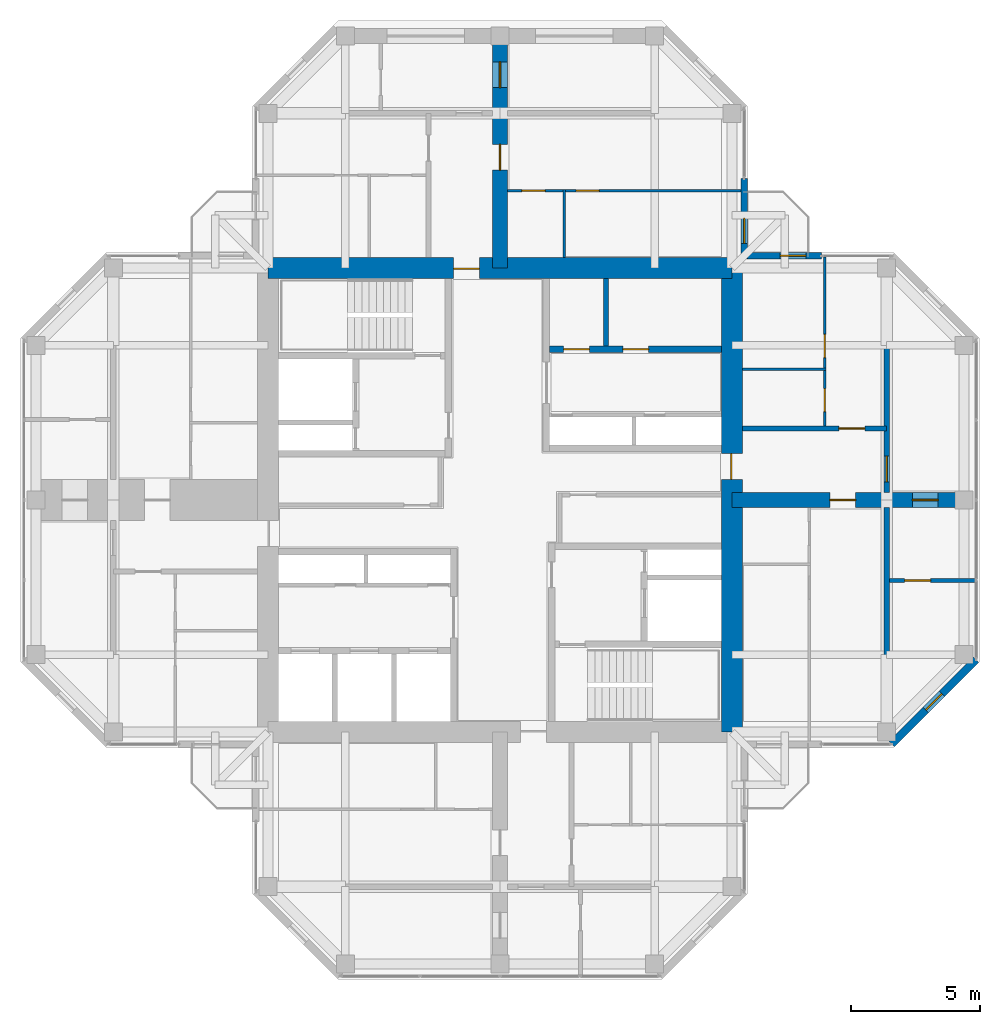
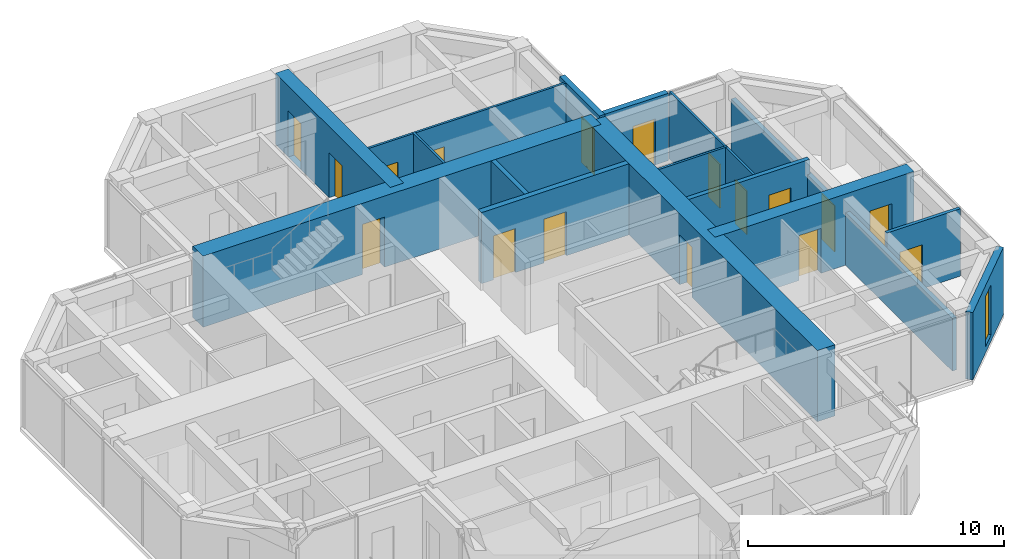
# One storey, part 11 of 13: 17 doors, 17 walls, 1 window, 18 openings.
"""IFC4 building model written with IfcOpenShell, lengths in metres."""

from ifc_helpers import new_model, si_unit, direction, frame, frame_2d, origin, place, context, subcontext, project, spatial, rectangle, hollow_rectangle, extrude, material, layer, layer_set, constituent, constituent_set, type_object, element, fill, save


model = new_model("IFC4")

# Units and contexts
model_context = context("Model", 3, precision=1e-05, world=origin(), true_north=direction((0.0, 1.0)))
body_context = subcontext(model_context, "Body", "Model", "MODEL_VIEW")
ifc_project = project(units=[si_unit("LENGTHUNIT", "METRE"), si_unit("AREAUNIT", "SQUARE_METRE"), si_unit("VOLUMEUNIT", "CUBIC_METRE"), si_unit("PLANEANGLEUNIT", "RADIAN"), si_unit("MASSUNIT", "GRAM", prefix="KILO")], contexts=[model_context])

# Site, building, storey
site_placement = place(None, origin())
site = spatial("IfcSite", under=ifc_project, at=site_placement, CompositionType="ELEMENT")
building_placement = place(site_placement, origin())
building = spatial("IfcBuilding", under=site, at=building_placement, Name="Torre Cruceta", CompositionType="ELEMENT")
storey_placement = place(building_placement, frame((0.0, 0.0, 261.10009765625)))
storey = spatial("IfcBuildingStorey", under=building, at=storey_placement, Name="L67", CompositionType="ELEMENT", Elevation=261.10009765625)

# Wall
ifc_material_1 = material(Name="Water-resistant plasterboard on steel studs", Category="steel")
ifc_layer_1 = layer(ifc_material_1, 0.10009765625)
ifc_layer_set_1 = layer_set([ifc_layer_1], Name="Water-resistant plasterboard on steel studs")
wall_type_1 = type_object("IfcWallType", Name="BATHROOM WALL 100", PredefinedType="PARTITIONING", material=ifc_layer_set_1)
wall_1_placement = place(storey_placement, frame((2.5, 9.39990234375, 0.0), z_axis=(0.0, 0.0, 1.0), x_axis=(0.0, 1.0, 0.0)))
element("IfcWall", 1, at=wall_1_placement, inside=storey, type_object=wall_type_1, Name="PT4 L67-N-U1RBB", PredefinedType="PARTITIONING", context=body_context, shape_type="SweptSolid", body=[
    extrude(rectangle(XDim=2.650146484375, YDim=0.10009765625, at=frame_2d((1.3251953125, 0.0))), origin(), (0.0, 0.0, 1.0), 3.219970703125),
])

# Wall, openings, doors
wall_2_placement = place(storey_placement, frame((9.344970703125, 12.0, 0.0), z_axis=(0.0, 0.0, 1.0), x_axis=(-1.0, 0.0, 0.0)))
wall_2 = element("IfcWall", 2, at=wall_2_placement, inside=storey, type_object=wall_type_1, Name="PT4 L67-N-U1RBS", PredefinedType="PARTITIONING", context=body_context, shape_type="SweptSolid", body=[
    extrude(rectangle(XDim=9.044921875, YDim=0.10009765625, at=frame_2d((4.5224609375, 0.0))), origin(), (0.0, 0.0, 1.0), 3.219970703125),
])
opening_1_placement = place(wall_2_placement, frame((5.4951171875, 0.0, 0.0)))
opening_1 = element("IfcOpeningElement", 3, at=opening_1_placement, cuts=wall_2, Name="Opening D7", PredefinedType="OPENING", context=body_context, shape_type="SweptSolid", body=[
    extrude(rectangle(XDim=0.89990234375, YDim=2.10009765625, at=frame_2d((0.449951171875, 1.050048828125))), frame((0.0, 0.06005859375, 0.0), z_axis=(0.0, -1.0, 0.0), x_axis=(1.0, 0.0, 0.0)), (0.0, 0.0, 1.0), 0.1201171875),
])
opening_2_placement = place(wall_2_placement, frame((7.594970703125, 0.0, 0.0)))
opening_2 = element("IfcOpeningElement", 4, at=opening_2_placement, cuts=wall_2, Name="Opening D7", PredefinedType="OPENING", context=body_context, shape_type="SweptSolid", body=[
    extrude(rectangle(XDim=0.89990234375, YDim=2.10009765625, at=frame_2d((0.449951171875, 1.050048828125))), frame((0.0, 0.06005859375, 0.0), z_axis=(0.0, -1.0, 0.0), x_axis=(1.0, 0.0, 0.0)), (0.0, 0.0, 1.0), 0.1201171875),
])
ifc_material_2 = material(Name="Timber door", Category="wood")
door_type_1 = type_object("IfcDoorType", Name="BATHROOM DOOR 900X2100", OperationType="SINGLE_SWING_LEFT", PredefinedType="DOOR", material=ifc_material_2)
door_1_placement = place(opening_1_placement, origin())
door_1 = element("IfcDoor", 5, at=door_1_placement, inside=storey, type_object=door_type_1, Name="D7 L67-N-U1RBS-D1", OperationType="SINGLE_SWING_RIGHT", OverallHeight=2.10009765625, OverallWidth=0.89990234375, PredefinedType="DOOR", context=body_context, shape_type="SweptSolid", body=[
    extrude(rectangle(XDim=0.89990234375, YDim=2.10009765625, at=frame_2d((0.449951171875, 1.050048828125))), frame((0.0, 0.02490234375, 0.0), z_axis=(0.0, -1.0, 0.0), x_axis=(1.0, 0.0, 0.0)), (0.0, 0.0, 1.0), 0.050048828125),
])
fill(opening_1, door_1)
door_2_placement = place(opening_2_placement, origin())
door_2 = element("IfcDoor", 6, at=door_2_placement, inside=storey, type_object=door_type_1, Name="D7 L67-N-U1RBS-D2", OperationType="SINGLE_SWING_RIGHT", OverallHeight=2.10009765625, OverallWidth=0.89990234375, PredefinedType="DOOR", context=body_context, shape_type="SweptSolid", body=[
    extrude(rectangle(XDim=0.89990234375, YDim=2.10009765625, at=frame_2d((0.449951171875, 1.050048828125))), frame((0.0, 0.02490234375, 0.0), z_axis=(0.0, -1.0, 0.0), x_axis=(1.0, 0.0, 0.0)), (0.0, 0.0, 1.0), 0.050048828125),
])
fill(opening_2, door_2)

# Wall
wall_3_placement = place(storey_placement, frame((9.39990234375, 5.074951171875, 0.0), z_axis=(0.0, 0.0, 1.0), x_axis=(1.0, 0.0, 0.0)))
element("IfcWall", 7, at=wall_3_placement, inside=storey, type_object=wall_type_1, Name="PT4 L67-E-U1LBB", PredefinedType="PARTITIONING", context=body_context, shape_type="SweptSolid", body=[
    extrude(rectangle(XDim=3.25, YDim=0.10009765625, at=frame_2d((1.625, 0.0))), origin(), (0.0, 0.0, 1.0), 3.219970703125),
])

# Wall, openings, doors
wall_4_placement = place(storey_placement, frame((12.60009765625, 2.875, 0.0), z_axis=(0.0, 0.0, 1.0), x_axis=(0.0, 1.0, 0.0)))
wall_4 = element("IfcWall", 8, at=wall_4_placement, inside=storey, type_object=wall_type_1, Name="PT4 L67-E-U1LBS", PredefinedType="PARTITIONING", context=body_context, shape_type="SweptSolid", body=[
    extrude(rectangle(XDim=6.554931640625, YDim=0.10009765625, at=frame_2d((3.27734375, 0.0))), origin(), (0.0, 0.0, 1.0), 3.219970703125),
])
opening_3_placement = place(wall_4_placement, frame((0.550048828125, 0.0, 0.0)))
opening_3 = element("IfcOpeningElement", 9, at=opening_3_placement, cuts=wall_4, Name="Opening D7", PredefinedType="OPENING", context=body_context, shape_type="SweptSolid", body=[
    extrude(rectangle(XDim=0.89990234375, YDim=2.10009765625, at=frame_2d((0.449951171875, 1.050048828125))), frame((0.0, 0.06005859375, 0.0), z_axis=(0.0, -1.0, 0.0), x_axis=(1.0, 0.0, 0.0)), (0.0, 0.0, 1.0), 0.1201171875),
])
opening_4_placement = place(wall_4_placement, frame((2.64990234375, 0.0, 0.0)))
opening_4 = element("IfcOpeningElement", 10, at=opening_4_placement, cuts=wall_4, Name="Opening D7", PredefinedType="OPENING", context=body_context, shape_type="SweptSolid", body=[
    extrude(rectangle(XDim=0.89990234375, YDim=2.10009765625, at=frame_2d((0.449951171875, 1.050048828125))), frame((0.0, 0.06005859375, 0.0), z_axis=(0.0, -1.0, 0.0), x_axis=(1.0, 0.0, 0.0)), (0.0, 0.0, 1.0), 0.1201171875),
])
door_3_placement = place(opening_3_placement, origin())
door_3 = element("IfcDoor", 11, at=door_3_placement, inside=storey, type_object=door_type_1, Name="D7 L67-E-U1LBS-D1", OperationType="SINGLE_SWING_LEFT", OverallHeight=2.10009765625, OverallWidth=0.89990234375, PredefinedType="DOOR", context=body_context, shape_type="SweptSolid", body=[
    extrude(rectangle(XDim=0.89990234375, YDim=2.10009765625, at=frame_2d((0.449951171875, 1.050048828125))), frame((0.0, 0.02490234375, 0.0), z_axis=(0.0, -1.0, 0.0), x_axis=(1.0, 0.0, 0.0)), (0.0, 0.0, 1.0), 0.050048828125),
])
fill(opening_3, door_3)
door_4_placement = place(opening_4_placement, origin())
door_4 = element("IfcDoor", 12, at=door_4_placement, inside=storey, type_object=door_type_1, Name="D7 L67-E-U1LBS-D2", OperationType="SINGLE_SWING_LEFT", OverallHeight=2.10009765625, OverallWidth=0.89990234375, PredefinedType="DOOR", context=body_context, shape_type="SweptSolid", body=[
    extrude(rectangle(XDim=0.89990234375, YDim=2.10009765625, at=frame_2d((0.449951171875, 1.050048828125))), frame((0.0, 0.02490234375, 0.0), z_axis=(0.0, -1.0, 0.0), x_axis=(1.0, 0.0, 0.0)), (0.0, 0.0, 1.0), 0.050048828125),
])
fill(opening_4, door_4)

ifc_material_3 = material(Name="Concrete G60 (fck 60 MPa)", Category="concrete")
ifc_layer_2 = layer(ifc_material_3, 0.25)
ifc_layer_set_2 = layer_set([ifc_layer_2], Name="Concrete G60 (fck 60 MPa)")
wall_type_2 = type_object("IfcWallType", Name="CORE INNER WALL 250 G60", PredefinedType="SHEAR", material=ifc_layer_set_2)
wall_5_placement = place(storey_placement, frame((1.925048828125, 5.85009765625, 0.0), z_axis=(0.0, 0.0, 1.0), x_axis=(1.0, 0.0, 0.0)))
wall_5 = element("IfcWall", 13, at=wall_5_placement, inside=storey, type_object=wall_type_2, Name="CW4 L67 NE-LV", PredefinedType="SHEAR", context=body_context, shape_type="SweptSolid", body=[
    extrude(rectangle(XDim=6.675048828125, YDim=0.25, at=frame_2d((3.33740234375, 0.0))), origin(), (0.0, 0.0, 1.0), 3.39990234375),
])
opening_5_placement = place(wall_5_placement, frame((0.5458984375, 0.0, 0.0)))
opening_5 = element("IfcOpeningElement", 14, at=opening_5_placement, cuts=wall_5, Name="Opening D3", PredefinedType="OPENING", context=body_context, shape_type="SweptSolid", body=[
    extrude(rectangle(XDim=1.0, YDim=2.10009765625, at=frame_2d((0.5, 1.050048828125))), frame((0.0, 0.135009765625, 0.0), z_axis=(0.0, -1.0, 0.0), x_axis=(1.0, 0.0, 0.0)), (0.0, 0.0, 1.0), 0.27001953125),
])
opening_6_placement = place(wall_5_placement, frame((2.83740234375, 0.0, 0.0)))
opening_6 = element("IfcOpeningElement", 15, at=opening_6_placement, cuts=wall_5, Name="Opening D3", PredefinedType="OPENING", context=body_context, shape_type="SweptSolid", body=[
    extrude(rectangle(XDim=1.0, YDim=2.10009765625, at=frame_2d((0.5, 1.050048828125))), frame((0.0, 0.135009765625, 0.0), z_axis=(0.0, -1.0, 0.0), x_axis=(1.0, 0.0, 0.0)), (0.0, 0.0, 1.0), 0.27001953125),
])
ifc_material_4 = material(Name="Steel DX51D", Category="steel")
ifc_constituent_1 = constituent(ifc_material_4, Name="Leaf and frame")
ifc_material_5 = material(Name="Polyester powder coating", Category="paint")
ifc_constituent_2 = constituent(ifc_material_5, Name="Finish")
ifc_constituent_set_1 = constituent_set(constituents=[ifc_constituent_1, ifc_constituent_2], Name="Steel fire door")
door_type_2 = type_object("IfcDoorType", Name="FIRE DOOR 1000X2100", OperationType="SINGLE_SWING_LEFT", PredefinedType="DOOR", material=ifc_constituent_set_1)
door_5_placement = place(opening_5_placement, origin())
door_5 = element("IfcDoor", 16, at=door_5_placement, inside=storey, type_object=door_type_2, Name="D3 L67 NE-HR1", OperationType="SINGLE_SWING_LEFT", OverallHeight=2.10009765625, OverallWidth=1.0, PredefinedType="DOOR", context=body_context, shape_type="SweptSolid", body=[
    extrude(rectangle(XDim=1.0, YDim=2.10009765625, at=frame_2d((0.5, 1.050048828125))), frame((0.0, 0.02490234375, 0.0), z_axis=(0.0, -1.0, 0.0), x_axis=(1.0, 0.0, 0.0)), (0.0, 0.0, 1.0), 0.050048828125),
])
fill(opening_5, door_5)
door_6_placement = place(opening_6_placement, origin())
door_6 = element("IfcDoor", 17, at=door_6_placement, inside=storey, type_object=door_type_2, Name="D3 L67 NE-HR2", OperationType="SINGLE_SWING_LEFT", OverallHeight=2.10009765625, OverallWidth=1.0, PredefinedType="DOOR", context=body_context, shape_type="SweptSolid", body=[
    extrude(rectangle(XDim=1.0, YDim=2.10009765625, at=frame_2d((0.5, 1.050048828125))), frame((0.0, 0.02490234375, 0.0), z_axis=(0.0, -1.0, 0.0), x_axis=(1.0, 0.0, 0.0)), (0.0, 0.0, 1.0), 0.050048828125),
])
fill(opening_6, door_6)

# Wall, opening, door
ifc_material_6 = material(Name="Concrete G60 (fck 60 MPa)", Category="concrete")
ifc_layer_3 = layer(ifc_material_6, 0.800048828125)
ifc_layer_set_3 = layer_set([ifc_layer_3], Name="Concrete G60 (fck 60 MPa)")
wall_type_3 = type_object("IfcWallType", Name="CORE WALL 800 G60", PredefinedType="SHEAR", material=ifc_layer_set_3)
wall_6_placement = place(storey_placement, frame((9.0, 9.0, 0.0), z_axis=(0.0, 0.0, 1.0), x_axis=(-1.0, 0.0, 0.0)))
wall_6 = element("IfcWall", 18, at=wall_6_placement, inside=storey, type_object=wall_type_3, Name="CW3 L67 CW-N", PredefinedType="SHEAR", context=body_context, shape_type="SweptSolid", body=[
    extrude(rectangle(XDim=18.0, YDim=0.800048828125, at=frame_2d((9.0, 0.0))), origin(), (0.0, 0.0, 1.0), 3.39990234375),
])
opening_7_placement = place(wall_6_placement, frame((9.800048828125, 0.0, 0.0)))
opening_7 = element("IfcOpeningElement", 19, at=opening_7_placement, cuts=wall_6, Name="Opening D4", PredefinedType="OPENING", context=body_context, shape_type="SweptSolid", body=[
    extrude(rectangle(XDim=1.0, YDim=2.39990234375, at=frame_2d((0.5, 1.199951171875))), frame((0.0, 0.409912109375, 0.0), z_axis=(0.0, -1.0, 0.0), x_axis=(1.0, 0.0, 0.0)), (0.0, 0.0, 1.0), 0.820068359375),
])
ifc_material_7 = material(Name="Steel DX51D", Category="steel")
ifc_constituent_3 = constituent(ifc_material_7, Name="Leaf and frame")
ifc_material_8 = material(Name="Polyester powder coating", Category="paint")
ifc_constituent_4 = constituent(ifc_material_8, Name="Finish")
ifc_constituent_set_2 = constituent_set(constituents=[ifc_constituent_3, ifc_constituent_4], Name="Steel fire door")
door_type_3 = type_object("IfcDoorType", Name="CORE ARM DOOR 1000X2400", OperationType="SINGLE_SWING_RIGHT", PredefinedType="DOOR", material=ifc_constituent_set_2)
door_7_placement = place(opening_7_placement, origin())
door_7 = element("IfcDoor", 20, at=door_7_placement, inside=storey, type_object=door_type_3, Name="D4 L67 CW-N", OperationType="SINGLE_SWING_RIGHT", OverallHeight=2.39990234375, OverallWidth=1.0, PredefinedType="DOOR", context=body_context, shape_type="SweptSolid", body=[
    extrude(rectangle(XDim=1.0, YDim=2.39990234375, at=frame_2d((0.5, 1.199951171875))), frame((0.0, 0.05517578125, 0.0), z_axis=(0.0, -1.0, 0.0), x_axis=(1.0, 0.0, 0.0)), (0.0, 0.0, 1.0), 0.050048828125),
])
fill(opening_7, door_7)

wall_7_placement = place(storey_placement, frame((9.0, -9.0, 0.0), z_axis=(0.0, 0.0, 1.0), x_axis=(0.0, 1.0, 0.0)))
wall_7 = element("IfcWall", 21, at=wall_7_placement, inside=storey, type_object=wall_type_3, Name="CW3 L67 CW-E", PredefinedType="SHEAR", context=body_context, shape_type="SweptSolid", body=[
    extrude(rectangle(XDim=18.0, YDim=0.800048828125, at=frame_2d((9.0, 0.0))), origin(), (0.0, 0.0, 1.0), 3.39990234375),
])
opening_8_placement = place(wall_7_placement, frame((9.800048828125, 0.0, 0.0)))
opening_8 = element("IfcOpeningElement", 22, at=opening_8_placement, cuts=wall_7, Name="Opening D4", PredefinedType="OPENING", context=body_context, shape_type="SweptSolid", body=[
    extrude(rectangle(XDim=1.0, YDim=2.39990234375, at=frame_2d((0.5, 1.199951171875))), frame((0.0, 0.409912109375, 0.0), z_axis=(0.0, -1.0, 0.0), x_axis=(1.0, 0.0, 0.0)), (0.0, 0.0, 1.0), 0.820068359375),
])
door_8_placement = place(opening_8_placement, origin())
door_8 = element("IfcDoor", 23, at=door_8_placement, inside=storey, type_object=door_type_3, Name="D4 L67 CW-E", OperationType="SINGLE_SWING_RIGHT", OverallHeight=2.39990234375, OverallWidth=1.0, PredefinedType="DOOR", context=body_context, shape_type="SweptSolid", body=[
    extrude(rectangle(XDim=1.0, YDim=2.39990234375, at=frame_2d((0.5, 1.199951171875))), frame((0.0, 0.05517578125, 0.0), z_axis=(0.0, -1.0, 0.0), x_axis=(1.0, 0.0, 0.0)), (0.0, 0.0, 1.0), 0.050048828125),
])
fill(opening_8, door_8)

ifc_material_9 = material(Name="Concrete G25 (fck 25 MPa)", Category="concrete")
ifc_layer_4 = layer(ifc_material_9, 0.199951171875)
ifc_layer_set_4 = layer_set([ifc_layer_4], Name="Concrete G25 (fck 25 MPa)")
wall_type_4 = type_object("IfcWallType", Name="CORRIDOR WALL 200", PredefinedType="SOLIDWALL", material=ifc_layer_set_4)
wall_8_placement = place(storey_placement, frame((9.39990234375, 2.77490234375, 0.0), z_axis=(0.0, 0.0, 1.0), x_axis=(1.0, 0.0, 0.0)))
wall_8 = element("IfcWall", 24, at=wall_8_placement, inside=storey, type_object=wall_type_4, Name="PT3 L67-E-CL", PredefinedType="SOLIDWALL", context=body_context, shape_type="SweptSolid", body=[
    extrude(rectangle(XDim=5.60009765625, YDim=0.199951171875, at=frame_2d((2.800048828125, 0.0))), origin(), (0.0, 0.0, 1.0), 3.219970703125),
])
opening_9_placement = place(wall_8_placement, frame((3.75, 0.0, 0.0)))
opening_9 = element("IfcOpeningElement", 25, at=opening_9_placement, cuts=wall_8, Name="Opening D6", PredefinedType="OPENING", context=body_context, shape_type="SweptSolid", body=[
    extrude(rectangle(XDim=1.0, YDim=2.14990234375, at=frame_2d((0.5, 1.074951171875))), frame((0.0, 0.10986328125, 0.0), z_axis=(0.0, -1.0, 0.0), x_axis=(1.0, 0.0, 0.0)), (0.0, 0.0, 1.0), 0.219970703125),
])
ifc_material_10 = material(Name="Timber fire door", Category="wood")
door_type_4 = type_object("IfcDoorType", Name="UNIT ENTRANCE DOOR 1000X2150", OperationType="SINGLE_SWING_LEFT", PredefinedType="DOOR", material=ifc_material_10)
door_9_placement = place(opening_9_placement, origin())
door_9 = element("IfcDoor", 26, at=door_9_placement, inside=storey, type_object=door_type_4, Name="D6 L67-E-CL-D1", OperationType="SINGLE_SWING_LEFT", OverallHeight=2.14990234375, OverallWidth=1.0, PredefinedType="DOOR", context=body_context, shape_type="SweptSolid", body=[
    extrude(rectangle(XDim=1.0, YDim=2.14990234375, at=frame_2d((0.5, 1.074951171875))), frame((0.0, 0.02490234375, 0.0), z_axis=(0.0, -1.0, 0.0), x_axis=(1.0, 0.0, 0.0)), (0.0, 0.0, 1.0), 0.050048828125),
])
fill(opening_9, door_9)

# Wall, opening, window
ifc_material_11 = material(Name="Concrete G30 (fck 30 MPa)", Category="concrete")
ifc_layer_5 = layer(ifc_material_11, 0.300048828125)
ifc_layer_set_5 = layer_set([ifc_layer_5], Name="Concrete G30 (fck 30 MPa)")
wall_type_5 = type_object("IfcWallType", Name="EXPOSED CONCRETE FACADE WALL 300", PredefinedType="SOLIDWALL", material=ifc_layer_set_5)
wall_9_placement = place(storey_placement, frame((15.194580078125, -9.469970703125, 0.0), z_axis=(0.0, 0.0, 1.0), x_axis=(0.707106781187, 0.707106781187, 0.0)))
wall_9 = element("IfcWall", 27, at=wall_9_placement, inside=storey, type_object=wall_type_5, Name="EW1 facade wall L67 E chamfer 01", PredefinedType="SOLIDWALL", context=body_context, shape_type="SweptSolid", body=[
    extrude(rectangle(XDim=4.632080078125, YDim=0.300048828125, at=frame_2d((2.31591796875, 0.0))), origin(), (0.0, 0.0, 1.0), 3.219970703125),
])
opening_10_placement = place(wall_9_placement, frame((1.865966796875, 0.0, 0.300048828125)))
opening_10 = element("IfcOpeningElement", 28, at=opening_10_placement, cuts=wall_9, Name="Opening WN5", PredefinedType="OPENING", context=body_context, shape_type="SweptSolid", body=[
    extrude(rectangle(XDim=0.89990234375, YDim=2.39990234375, at=frame_2d((0.449951171875, 1.199951171875))), frame((0.0, 0.159912109375, 0.0), z_axis=(0.0, -1.0, 0.0), x_axis=(1.0, 0.0, 0.0)), (0.0, 0.0, 1.0), 0.320068359375),
])
ifc_material_12 = material(Name="Aluminium window frame", Category="aluminium")
ifc_constituent_5 = constituent(ifc_material_12, Name="Frame")
ifc_material_13 = material(Name="Laminated insulating glass unit, low-iron clear", Category="glass")
ifc_constituent_6 = constituent(ifc_material_13, Name="Glazing")
ifc_constituent_set_3 = constituent_set(constituents=[ifc_constituent_5, ifc_constituent_6], Name="Aluminium window")
window_type = type_object("IfcWindowType", Name="CHAMFER SLOT WINDOW 900X2400", PartitioningType="SINGLE_PANEL", PredefinedType="WINDOW", material=ifc_constituent_set_3)
window_placement = place(opening_10_placement, origin())
window = element("IfcWindow", 29, at=window_placement, inside=storey, type_object=window_type, Name="WN5 L67 E 1", OverallHeight=2.39990234375, OverallWidth=0.89990234375, PartitioningType="SINGLE_PANEL", PredefinedType="WINDOW", context=body_context, shape_type="SweptSolid", body=[
    extrude(hollow_rectangle(XDim=0.89990234375, YDim=2.39990234375, WallThickness=0.06005859375, at=frame_2d((0.449951171875, 1.199951171875))), frame((0.0, 0.030029296875, 0.0), z_axis=(0.0, -1.0, 0.0), x_axis=(1.0, 0.0, 0.0)), (0.0, 0.0, 1.0), 0.06005859375),
    extrude(rectangle(XDim=0.77880859375, YDim=2.27880859375, at=frame_2d((0.449951171875, 1.199951171875))), frame((0.0, 0.030029296875, 0.0), z_axis=(0.0, -1.0, 0.0), x_axis=(1.0, 0.0, 0.0)), (0.0, 0.0, 1.0), 0.06005859375),
])
fill(opening_10, window)

# Wall
ifc_material_14 = material(Name="Concrete G35 (fck 35 MPa)", Category="concrete")
ifc_layer_6 = layer(ifc_material_14, 0.199951171875)
ifc_layer_set_6 = layer_set([ifc_layer_6], Name="Concrete G35 (fck 35 MPa)")
wall_type_6 = type_object("IfcWallType", Name="LIFT SHAFT WALL 200", PredefinedType="PARTITIONING", material=ifc_layer_set_6)
wall_10_placement = place(storey_placement, frame((4.11669921875, 5.97509765625, 0.0), z_axis=(0.0, 0.0, 1.0), x_axis=(0.0, 1.0, 0.0)))
element("IfcWall", 30, at=wall_10_placement, inside=storey, type_object=wall_type_6, Name="SW1 L67 NE-LS1", PredefinedType="PARTITIONING", context=body_context, shape_type="SweptSolid", body=[
    extrude(rectangle(XDim=2.625, YDim=0.199951171875, at=frame_2d((1.3125, 0.0))), origin(), (0.0, 0.0, 1.0), 3.39990234375),
])

# Wall, opening, door
ifc_material_15 = material(Name="Plasterboard on steel studs", Category="steel")
ifc_layer_7 = layer(ifc_material_15, 0.14990234375)
ifc_layer_set_7 = layer_set([ifc_layer_7], Name="Plasterboard on steel studs")
wall_type_7 = type_object("IfcWallType", Name="PARTITION 150", PredefinedType="PARTITIONING", material=ifc_layer_set_7)
wall_11_placement = place(storey_placement, frame((15.10009765625, -3.117919921875, 0.0), z_axis=(0.0, 0.0, 1.0), x_axis=(1.0, 0.0, 0.0)))
wall_11 = element("IfcWall", 31, at=wall_11_placement, inside=storey, type_object=wall_type_7, Name="PT1 L67-E-END2X", PredefinedType="PARTITIONING", context=body_context, shape_type="SweptSolid", body=[
    extrude(rectangle(XDim=3.329833984375, YDim=0.14990234375, at=frame_2d((1.6650390625, 0.0))), origin(), (0.0, 0.0, 1.0), 3.219970703125),
])
opening_11_placement = place(wall_11_placement, frame((0.60009765625, 0.0, 0.0)))
opening_11 = element("IfcOpeningElement", 32, at=opening_11_placement, cuts=wall_11, Name="Opening D3", PredefinedType="OPENING", context=body_context, shape_type="SweptSolid", body=[
    extrude(rectangle(XDim=1.0, YDim=2.10009765625, at=frame_2d((0.5, 1.050048828125))), frame((0.0, 0.0849609375, 0.0), z_axis=(0.0, -1.0, 0.0), x_axis=(1.0, 0.0, 0.0)), (0.0, 0.0, 1.0), 0.169921875),
])
door_10_placement = place(opening_11_placement, origin())
door_10 = element("IfcDoor", 33, at=door_10_placement, inside=storey, type_object=door_type_2, Name="D3 L67-E-END2X-D1", OperationType="SINGLE_SWING_LEFT", OverallHeight=2.10009765625, OverallWidth=1.0, PredefinedType="DOOR", context=body_context, shape_type="SweptSolid", body=[
    extrude(rectangle(XDim=1.0, YDim=2.10009765625, at=frame_2d((0.5, 1.050048828125))), frame((0.0, 0.02490234375, 0.0), z_axis=(0.0, -1.0, 0.0), x_axis=(1.0, 0.0, 0.0)), (0.0, 0.0, 1.0), 0.050048828125),
])
fill(opening_11, door_10)

# Wall, openings, doors
ifc_material_16 = material(Name="Concrete G60 (fck 60 MPa)", Category="concrete")
ifc_layer_8 = layer(ifc_material_16, 0.60009765625)
ifc_layer_set_8 = layer_set([ifc_layer_8], Name="Concrete G60 (fck 60 MPa)")
wall_type_8 = type_object("IfcWallType", Name="SPINE WALL 600 G60", PredefinedType="SHEAR", material=ifc_layer_set_8)
wall_12_placement = place(storey_placement, frame((0.0, 9.0, 0.0), z_axis=(0.0, 0.0, 1.0), x_axis=(0.0, 1.0, 0.0)))
wall_12 = element("IfcWall", 34, at=wall_12_placement, inside=storey, type_object=wall_type_8, Name="SW5 spine wall L67 N", PredefinedType="SHEAR", context=body_context, shape_type="SweptSolid", body=[
    extrude(rectangle(XDim=9.0, YDim=0.60009765625, at=frame_2d((4.5, 0.0))), origin(), (0.0, 0.0, 1.0), 3.39990234375),
])
opening_12_placement = place(wall_12_placement, frame((3.800048828125, 0.0, 0.0)))
opening_12 = element("IfcOpeningElement", 35, at=opening_12_placement, cuts=wall_12, Name="Opening D6", PredefinedType="OPENING", context=body_context, shape_type="SweptSolid", body=[
    extrude(rectangle(XDim=1.0, YDim=2.14990234375, at=frame_2d((0.5, 1.074951171875))), frame((0.0, 0.31005859375, 0.0), z_axis=(0.0, -1.0, 0.0), x_axis=(1.0, 0.0, 0.0)), (0.0, 0.0, 1.0), 0.6201171875),
])
opening_13_placement = place(wall_12_placement, frame((7.0, 0.0, 0.0)))
opening_13 = element("IfcOpeningElement", 36, at=opening_13_placement, cuts=wall_12, Name="Opening D14", PredefinedType="OPENING", context=body_context, shape_type="SweptSolid", body=[
    extrude(rectangle(XDim=1.0, YDim=2.199951171875, at=frame_2d((0.5, 1.10009765625))), frame((0.0, 0.31005859375, 0.0), z_axis=(0.0, -1.0, 0.0), x_axis=(1.0, 0.0, 0.0)), (0.0, 0.0, 1.0), 0.6201171875),
])
ifc_material_17 = material(Name="Steel DX51D", Category="steel")
ifc_constituent_7 = constituent(ifc_material_17, Name="Leaf and frame")
ifc_material_18 = material(Name="Polyester powder coating", Category="paint")
ifc_constituent_8 = constituent(ifc_material_18, Name="Finish")
ifc_material_19 = material(Name="Fire-resisting glass", Category="glass")
ifc_constituent_9 = constituent(ifc_material_19, Name="Vision panel")
ifc_constituent_set_4 = constituent_set(constituents=[ifc_constituent_7, ifc_constituent_8, ifc_constituent_9], Name="Steel fire door with vision panel")
door_type_5 = type_object("IfcDoorType", Name="FIRE DOOR VISION PANEL 1000X2200", OperationType="SINGLE_SWING_RIGHT", PredefinedType="DOOR", material=ifc_constituent_set_4)
door_11_placement = place(opening_13_placement, origin())
door_11 = element("IfcDoor", 37, at=door_11_placement, inside=storey, type_object=door_type_5, Name="D14 L67-N-SP2", OperationType="SINGLE_SWING_RIGHT", OverallHeight=2.199951171875, OverallWidth=1.0, PredefinedType="DOOR", context=body_context, shape_type="SweptSolid", body=[
    extrude(rectangle(XDim=1.0, YDim=2.199951171875, at=frame_2d((0.5, 1.10009765625))), frame((0.0, 0.02490234375, 0.0), z_axis=(0.0, -1.0, 0.0), x_axis=(1.0, 0.0, 0.0)), (0.0, 0.0, 1.0), 0.050048828125),
])
fill(opening_13, door_11)
door_12_placement = place(opening_12_placement, frame((1.0, 0.0, 0.0), z_axis=(0.0, 0.0, 1.0), x_axis=(-1.0, 0.0, 0.0)))
door_12 = element("IfcDoor", 38, at=door_12_placement, inside=storey, type_object=door_type_4, Name="D6 L67-N-SP1", OperationType="SINGLE_SWING_RIGHT", OverallHeight=2.14990234375, OverallWidth=1.0, PredefinedType="DOOR", context=body_context, shape_type="SweptSolid", body=[
    extrude(rectangle(XDim=1.0, YDim=2.14990234375, at=frame_2d((0.5, 1.074951171875))), frame((0.0, 0.025146484375, 0.0), z_axis=(0.0, -1.0, 0.0), x_axis=(1.0, 0.0, 0.0)), (0.0, 0.0, 1.0), 0.050048828125),
])
fill(opening_12, door_12)

wall_13_placement = place(storey_placement, frame((9.0, 0.0, 0.0), z_axis=(0.0, 0.0, 1.0), x_axis=(1.0, 0.0, 0.0)))
wall_13 = element("IfcWall", 39, at=wall_13_placement, inside=storey, type_object=wall_type_8, Name="SW5 spine wall L67 E", PredefinedType="SHEAR", context=body_context, shape_type="SweptSolid", body=[
    extrude(rectangle(XDim=9.0, YDim=0.60009765625, at=frame_2d((4.5, 0.0))), origin(), (0.0, 0.0, 1.0), 3.39990234375),
])
opening_14_placement = place(wall_13_placement, frame((3.800048828125, 0.0, 0.0)))
opening_14 = element("IfcOpeningElement", 40, at=opening_14_placement, cuts=wall_13, Name="Opening D6", PredefinedType="OPENING", context=body_context, shape_type="SweptSolid", body=[
    extrude(rectangle(XDim=1.0, YDim=2.14990234375, at=frame_2d((0.5, 1.074951171875))), frame((0.0, 0.31005859375, 0.0), z_axis=(0.0, -1.0, 0.0), x_axis=(1.0, 0.0, 0.0)), (0.0, 0.0, 1.0), 0.6201171875),
])
opening_15_placement = place(wall_13_placement, frame((7.0, 0.0, 0.0)))
opening_15 = element("IfcOpeningElement", 41, at=opening_15_placement, cuts=wall_13, Name="Opening D14", PredefinedType="OPENING", context=body_context, shape_type="SweptSolid", body=[
    extrude(rectangle(XDim=1.0, YDim=2.199951171875, at=frame_2d((0.5, 1.10009765625))), frame((0.0, 0.31005859375, 0.0), z_axis=(0.0, -1.0, 0.0), x_axis=(1.0, 0.0, 0.0)), (0.0, 0.0, 1.0), 0.6201171875),
])
door_13_placement = place(opening_15_placement, frame((1.0, 0.0, 0.0), z_axis=(0.0, 0.0, 1.0), x_axis=(-1.0, 0.0, 0.0)))
door_13 = element("IfcDoor", 42, at=door_13_placement, inside=storey, type_object=door_type_5, Name="D14 L67-E-SP2", OperationType="SINGLE_SWING_RIGHT", OverallHeight=2.199951171875, OverallWidth=1.0, PredefinedType="DOOR", context=body_context, shape_type="SweptSolid", body=[
    extrude(rectangle(XDim=1.0, YDim=2.199951171875, at=frame_2d((0.5, 1.10009765625))), frame((0.0, 0.025146484375, 0.0), z_axis=(0.0, -1.0, 0.0), x_axis=(1.0, 0.0, 0.0)), (0.0, 0.0, 1.0), 0.050048828125),
])
fill(opening_15, door_13)
door_14_placement = place(opening_14_placement, frame((1.0, 0.0, 0.0), z_axis=(0.0, 0.0, 1.0), x_axis=(-1.0, 0.0, 0.0)))
door_14 = element("IfcDoor", 43, at=door_14_placement, inside=storey, type_object=door_type_4, Name="D6 L67-E-SP1", OperationType="SINGLE_SWING_RIGHT", OverallHeight=2.14990234375, OverallWidth=1.0, PredefinedType="DOOR", context=body_context, shape_type="SweptSolid", body=[
    extrude(rectangle(XDim=1.0, YDim=2.14990234375, at=frame_2d((0.5, 1.074951171875))), frame((0.0, 0.025146484375, 0.0), z_axis=(0.0, -1.0, 0.0), x_axis=(1.0, 0.0, 0.0)), (0.0, 0.0, 1.0), 0.050048828125),
])
fill(opening_14, door_14)

# Wall
ifc_material_20 = material(Name="Concrete G25 (fck 25 MPa)", Category="concrete")
ifc_layer_9 = layer(ifc_material_20, 0.199951171875)
ifc_layer_set_9 = layer_set([ifc_layer_9], Name="Concrete G25 (fck 25 MPa)")
wall_type_9 = type_object("IfcWallType", Name="UNIT SEPARATING WALL 200", PredefinedType="SOLIDWALL", material=ifc_layer_set_9)
wall_14_placement = place(storey_placement, frame((15.0, -8.64990234375, 0.0), z_axis=(0.0, 0.0, 1.0), x_axis=(0.0, 1.0, 0.0)))
element("IfcWall", 44, at=wall_14_placement, inside=storey, type_object=wall_type_9, Name="PT2 L67-E-ENDa", PredefinedType="SOLIDWALL", context=body_context, shape_type="SweptSolid", body=[
    extrude(rectangle(XDim=8.349853515625, YDim=0.199951171875, at=frame_2d((4.1748046875, 0.0))), origin(), (0.0, 0.0, 1.0), 2.52001953125),
])

# Wall, opening, door
wall_15_placement = place(storey_placement, frame((15.0, 0.300048828125, 0.0), z_axis=(0.0, 0.0, 1.0), x_axis=(0.0, 1.0, 0.0)))
wall_15 = element("IfcWall", 45, at=wall_15_placement, inside=storey, type_object=wall_type_9, Name="PT2 L67-E-ENDb", PredefinedType="SOLIDWALL", context=body_context, shape_type="SweptSolid", body=[
    extrude(rectangle(XDim=8.349853515625, YDim=0.199951171875, at=frame_2d((4.1748046875, 0.0))), origin(), (0.0, 0.0, 1.0), 2.52001953125),
])
opening_16_placement = place(wall_15_placement, frame((0.39990234375, 0.0, 0.0)))
opening_16 = element("IfcOpeningElement", 46, at=opening_16_placement, cuts=wall_15, Name="Opening D14", PredefinedType="OPENING", context=body_context, shape_type="SweptSolid", body=[
    extrude(rectangle(XDim=1.0, YDim=2.199951171875, at=frame_2d((0.5, 1.10009765625))), frame((0.0, 0.10986328125, 0.0), z_axis=(0.0, -1.0, 0.0), x_axis=(1.0, 0.0, 0.0)), (0.0, 0.0, 1.0), 0.219970703125),
])
door_15_placement = place(opening_16_placement, frame((1.0, 0.0, 0.0), z_axis=(0.0, 0.0, 1.0), x_axis=(-1.0, 0.0, 0.0)))
door_15 = element("IfcDoor", 47, at=door_15_placement, inside=storey, type_object=door_type_5, Name="D14 L67-E-ENDb-D1", OperationType="SINGLE_SWING_RIGHT", OverallHeight=2.199951171875, OverallWidth=1.0, PredefinedType="DOOR", context=body_context, shape_type="SweptSolid", body=[
    extrude(rectangle(XDim=1.0, YDim=2.199951171875, at=frame_2d((0.5, 1.10009765625))), frame((0.0, 0.025146484375, 0.0), z_axis=(0.0, -1.0, 0.0), x_axis=(1.0, 0.0, 0.0)), (0.0, 0.0, 1.0), 0.050048828125),
])
fill(opening_16, door_15)

ifc_material_21 = material(Name="Concrete G30 (fck 30 MPa)", Category="concrete")
ifc_layer_10 = layer(ifc_material_21, 0.25)
ifc_layer_set_10 = layer_set([ifc_layer_10], Name="Concrete G30 (fck 30 MPa)")
wall_type_10 = type_object("IfcWallType", Name="WINTER GARDEN WALL 250", PredefinedType="SOLIDWALL", material=ifc_layer_set_10)
wall_16_placement = place(storey_placement, frame((12.469970703125, 9.469970703125, 0.0), z_axis=(0.0, 0.0, 1.0), x_axis=(-1.0, 0.0, 0.0)))
wall_16 = element("IfcWall", 48, at=wall_16_placement, inside=storey, type_object=wall_type_10, Name="EW2 winter garden wall L67 04", PredefinedType="SOLIDWALL", context=body_context, shape_type="SweptSolid", body=[
    extrude(rectangle(XDim=2.875, YDim=0.25, at=frame_2d((1.4375, 0.0))), origin(), (0.0, 0.0, 1.0), 3.219970703125),
])
opening_17_placement = place(wall_16_placement, frame((0.60009765625, 0.0, 0.0)))
opening_17 = element("IfcOpeningElement", 49, at=opening_17_placement, cuts=wall_16, Name="Opening D10", PredefinedType="OPENING", context=body_context, shape_type="SweptSolid", body=[
    extrude(rectangle(XDim=1.0, YDim=2.199951171875, at=frame_2d((0.5, 1.10009765625))), frame((0.0, 0.135009765625, 0.0), z_axis=(0.0, -1.0, 0.0), x_axis=(1.0, 0.0, 0.0)), (0.0, 0.0, 1.0), 0.27001953125),
])
ifc_material_22 = material(Name="Aluminium door frame", Category="aluminium")
ifc_constituent_10 = constituent(ifc_material_22, Name="Frame")
ifc_material_23 = material(Name="Laminated safety glass", Category="glass")
ifc_constituent_11 = constituent(ifc_material_23, Name="Glazing")
ifc_constituent_set_5 = constituent_set(constituents=[ifc_constituent_10, ifc_constituent_11], Name="Aluminium glazed door")
door_type_6 = type_object("IfcDoorType", Name="BALCONY DOOR 1000X2200", OperationType="SINGLE_SWING_RIGHT", PredefinedType="DOOR", material=ifc_constituent_set_5)
door_16_placement = place(opening_17_placement, origin())
door_16 = element("IfcDoor", 50, at=door_16_placement, inside=storey, type_object=door_type_6, Name="D10 balcony door L67 04", OperationType="SINGLE_SWING_LEFT", OverallHeight=2.199951171875, OverallWidth=1.0, PredefinedType="DOOR", context=body_context, shape_type="SweptSolid", body=[
    extrude(hollow_rectangle(XDim=1.0, YDim=2.199951171875, WallThickness=0.06005859375, at=frame_2d((0.5, 1.10009765625))), frame((0.0, 0.02490234375, 0.0), z_axis=(0.0, -1.0, 0.0), x_axis=(1.0, 0.0, 0.0)), (0.0, 0.0, 1.0), 0.050048828125),
    extrude(rectangle(XDim=0.87890625, YDim=2.078857421875, at=frame_2d((0.5, 1.10009765625))), frame((0.0, 0.02490234375, 0.0), z_axis=(0.0, -1.0, 0.0), x_axis=(1.0, 0.0, 0.0)), (0.0, 0.0, 1.0), 0.050048828125),
])
fill(opening_17, door_16)

wall_17_placement = place(storey_placement, frame((9.469970703125, 9.344970703125, 0.0), z_axis=(0.0, 0.0, 1.0), x_axis=(0.0, 1.0, 0.0)))
wall_17 = element("IfcWall", 51, at=wall_17_placement, inside=storey, type_object=wall_type_10, Name="EW2 winter garden wall L67 05", PredefinedType="SOLIDWALL", context=body_context, shape_type="SweptSolid", body=[
    extrude(rectangle(XDim=3.125, YDim=0.25, at=frame_2d((1.5625, 0.0))), origin(), (0.0, 0.0, 1.0), 3.219970703125),
])
opening_18_placement = place(wall_17_placement, frame((0.60009765625, 0.0, 0.0)))
opening_18 = element("IfcOpeningElement", 52, at=opening_18_placement, cuts=wall_17, Name="Opening D10", PredefinedType="OPENING", context=body_context, shape_type="SweptSolid", body=[
    extrude(rectangle(XDim=1.0, YDim=2.199951171875, at=frame_2d((0.5, 1.10009765625))), frame((0.0, 0.135009765625, 0.0), z_axis=(0.0, -1.0, 0.0), x_axis=(1.0, 0.0, 0.0)), (0.0, 0.0, 1.0), 0.27001953125),
])
door_17_placement = place(opening_18_placement, origin())
door_17 = element("IfcDoor", 53, at=door_17_placement, inside=storey, type_object=door_type_6, Name="D10 balcony door L67 05", OperationType="SINGLE_SWING_LEFT", OverallHeight=2.199951171875, OverallWidth=1.0, PredefinedType="DOOR", context=body_context, shape_type="SweptSolid", body=[
    extrude(hollow_rectangle(XDim=1.0, YDim=2.199951171875, WallThickness=0.06005859375, at=frame_2d((0.5, 1.10009765625))), frame((0.0, 0.02490234375, 0.0), z_axis=(0.0, -1.0, 0.0), x_axis=(1.0, 0.0, 0.0)), (0.0, 0.0, 1.0), 0.050048828125),
    extrude(rectangle(XDim=0.87890625, YDim=2.078857421875, at=frame_2d((0.5, 1.10009765625))), frame((0.0, 0.02490234375, 0.0), z_axis=(0.0, -1.0, 0.0), x_axis=(1.0, 0.0, 0.0)), (0.0, 0.0, 1.0), 0.050048828125),
])
fill(opening_18, door_17)

save(model, "model.ifc")
